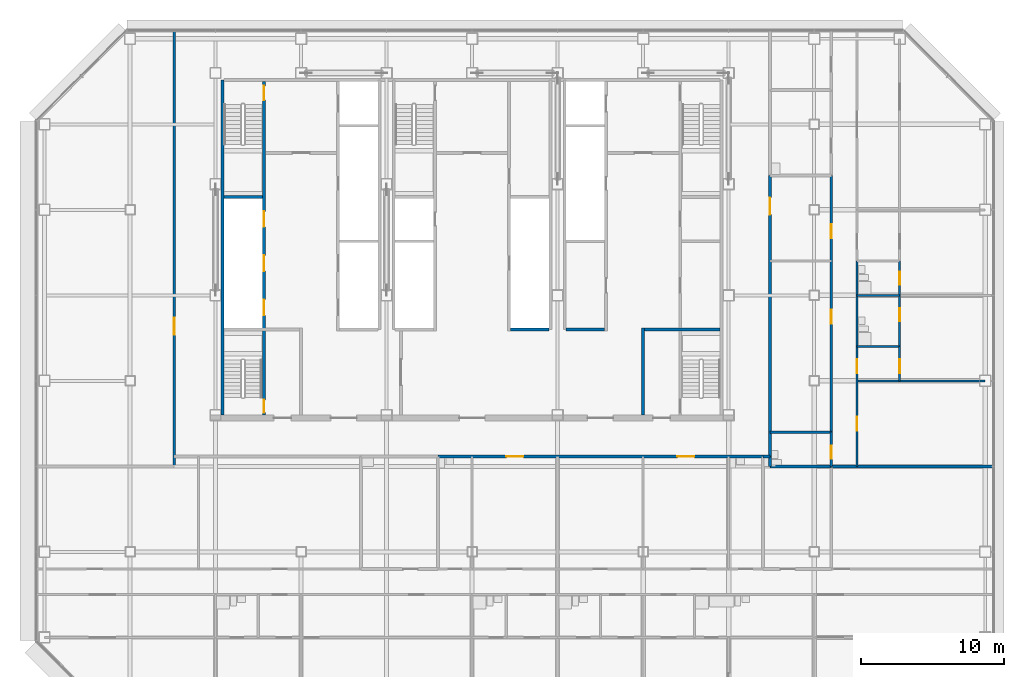
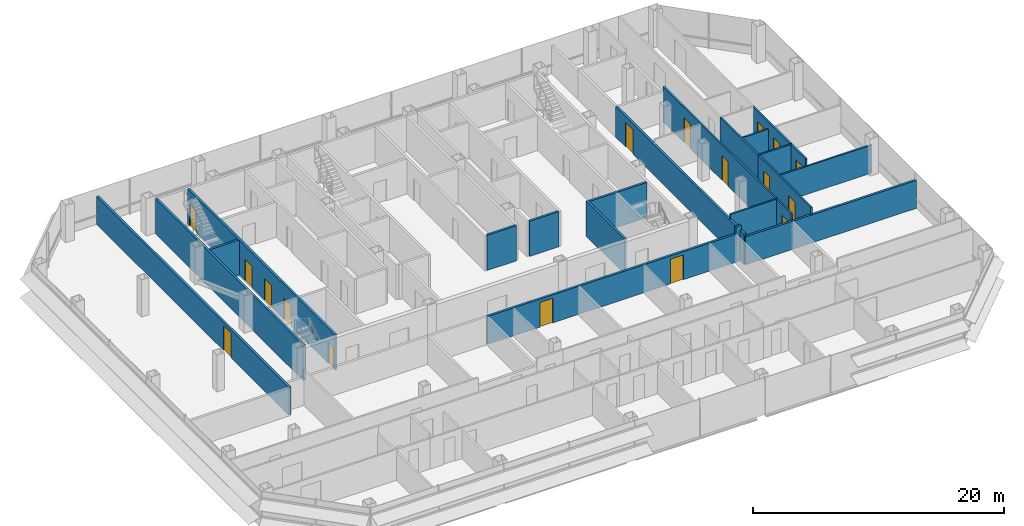
# One storey, part 21 of 25: 24 walls, 17 doors, 17 openings.
"""IFC4 building model written with IfcOpenShell, lengths in metres."""

from ifc_helpers import new_model, si_unit, direction, frame, frame_2d, origin, place, context, subcontext, project, spatial, rectangle, extrude, material, layer, layer_set, type_object, element, fill, save


model = new_model("IFC4")

# Units and contexts
model_context = context("Model", 3, precision=1e-05, world=origin(), true_north=direction((0.0, 1.0)))
body_context = subcontext(model_context, "Body", "Model", "MODEL_VIEW")
ifc_project = project(units=[si_unit("LENGTHUNIT", "METRE"), si_unit("AREAUNIT", "SQUARE_METRE"), si_unit("VOLUMEUNIT", "CUBIC_METRE"), si_unit("PLANEANGLEUNIT", "RADIAN"), si_unit("MASSUNIT", "GRAM", prefix="KILO")], contexts=[model_context])

# Site, building, storey
site_placement = place(None, origin())
site = spatial("IfcSite", under=ifc_project, at=site_placement, CompositionType="ELEMENT")
building_placement = place(site_placement, origin())
building = spatial("IfcBuilding", under=site, at=building_placement, Name="Sorahane Residences", CompositionType="ELEMENT")
storey_placement = place(building_placement, frame((0.0, 0.0, 107.0)))
storey = spatial("IfcBuildingStorey", under=building, at=storey_placement, Name="L23", CompositionType="ELEMENT", Elevation=107.0)

# Wall
ifc_material_1 = material(Name="Concrete C30", Category="concrete")
ifc_layer_1 = layer(ifc_material_1, 0.199951171875)
ifc_layer_set_1 = layer_set([ifc_layer_1], Name="Core face wall 200 EI 180")
wall_type_1 = type_object("IfcWallType", Name="Core face wall 200 EI 180", PredefinedType="SOLIDWALL", material=ifc_layer_set_1)
wall_1_placement = place(storey_placement, frame((6.5, 21.60009765625, 0.0), z_axis=(0.0, 0.0, 1.0), x_axis=(0.0, 1.0, 0.0)))
element("IfcWall", 1, at=wall_1_placement, inside=storey, type_object=wall_type_1, Name="L23 core face wall", PredefinedType="SOLIDWALL", context=body_context, shape_type="SweptSolid", body=[
    extrude(rectangle(XDim=23.5, YDim=0.199951171875, at=frame_2d((11.75, 0.0))), origin(), (0.0, 0.0, 1.0), 3.419921875),
])

# Wall, opening, door
ifc_material_2 = material(Name="Concrete blockwork C20 wall", Category="masonry")
ifc_layer_2 = layer(ifc_material_2, 0.199951171875)
ifc_layer_set_2 = layer_set([ifc_layer_2], Name="Corridor wall 200 EI 120")
wall_type_2 = type_object("IfcWallType", Name="Corridor wall 200 EI 120", PredefinedType="SOLIDWALL", material=ifc_layer_set_2)
wall_2_placement = place(storey_placement, frame((3.10009765625, 18.0, 0.0), z_axis=(0.0, 0.0, 1.0), x_axis=(0.0, 1.0, 0.0)))
wall_2 = element("IfcWall", 2, at=wall_2_placement, inside=storey, type_object=wall_type_2, Name="L23 corridor wall", PredefinedType="SOLIDWALL", context=body_context, shape_type="SweptSolid", body=[
    extrude(rectangle(XDim=30.60009765625, YDim=0.199951171875, at=frame_2d((15.300048828125, 0.0))), origin(), (0.0, 0.0, 1.0), 2.719970703125),
])
opening_1_placement = place(wall_2_placement, frame((9.22998046875, 0.0, 0.0)))
opening_1 = element("IfcOpeningElement", 3, at=opening_1_placement, cuts=wall_2, Name="Opening L23-47", PredefinedType="OPENING", context=body_context, shape_type="SweptSolid", body=[
    extrude(rectangle(XDim=1.199951171875, YDim=2.39990234375, at=frame_2d((0.60009765625, 1.199951171875))), frame((0.0, 0.10986328125, 0.0), z_axis=(0.0, -1.0, 0.0), x_axis=(1.0, 0.0, 0.0)), (0.0, 0.0, 1.0), 0.219970703125),
])
ifc_material_3 = material(Name="Steel", Category="steel")
door_type_1 = type_object("IfcDoorType", Name="Lobby door 1200x2400 FD60", OperationType="NOTDEFINED", PredefinedType="DOOR", material=ifc_material_3)
door_1_placement = place(opening_1_placement, origin())
door_1 = element("IfcDoor", 4, at=door_1_placement, inside=storey, type_object=door_type_1, Name="Lobby door L23-47", OperationType="SINGLE_SWING_LEFT", OverallHeight=2.39990234375, OverallWidth=1.199951171875, PredefinedType="DOOR", context=body_context, shape_type="SweptSolid", body=[
    extrude(rectangle(XDim=1.199951171875, YDim=2.39990234375, at=frame_2d((0.60009765625, 1.199951171875))), frame((0.0, 0.02490234375, 0.0), z_axis=(0.0, -1.0, 0.0), x_axis=(1.0, 0.0, 0.0)), (0.0, 0.0, 1.0), 0.050048828125),
])
fill(opening_1, door_1)

wall_3_placement = place(storey_placement, frame((44.89990234375, 18.699951171875, 0.0), z_axis=(0.0, 0.0, 1.0), x_axis=(0.0, 1.0, 0.0)))
wall_3 = element("IfcWall", 5, at=wall_3_placement, inside=storey, type_object=wall_type_2, Name="L23 corridor wall", PredefinedType="SOLIDWALL", context=body_context, shape_type="SweptSolid", body=[
    extrude(rectangle(XDim=19.699951171875, YDim=0.199951171875, at=frame_2d((9.85009765625, 0.0))), origin(), (0.0, 0.0, 1.0), 2.969970703125),
])
opening_2_placement = place(wall_3_placement, frame((16.9599609375, 0.0, 0.0)))
opening_2 = element("IfcOpeningElement", 6, at=opening_2_placement, cuts=wall_3, Name="Opening L23-46", PredefinedType="OPENING", context=body_context, shape_type="SweptSolid", body=[
    extrude(rectangle(XDim=1.199951171875, YDim=2.39990234375, at=frame_2d((0.60009765625, 1.199951171875))), frame((0.0, 0.10986328125, 0.0), z_axis=(0.0, -1.0, 0.0), x_axis=(1.0, 0.0, 0.0)), (0.0, 0.0, 1.0), 0.219970703125),
])
ifc_material_4 = material(Name="Timber veneered fire door", Category="wood")
door_type_2 = type_object("IfcDoorType", Name="Flat entrance door 1200x2400 FD60", OperationType="NOTDEFINED", PredefinedType="DOOR", material=ifc_material_4)
door_2_placement = place(opening_2_placement, frame((1.199951171875, 0.0, 0.0), z_axis=(0.0, 0.0, 1.0), x_axis=(-1.0, 0.0, 0.0)))
door_2 = element("IfcDoor", 7, at=door_2_placement, inside=storey, type_object=door_type_2, Name="Flat entrance door L23-46", OperationType="SINGLE_SWING_RIGHT", OverallHeight=2.39990234375, OverallWidth=1.199951171875, PredefinedType="DOOR", context=body_context, shape_type="SweptSolid", body=[
    extrude(rectangle(XDim=1.199951171875, YDim=2.39990234375, at=frame_2d((0.60009765625, 1.199951171875))), frame((0.0, 0.02490234375, 0.0), z_axis=(0.0, -1.0, 0.0), x_axis=(1.0, 0.0, 0.0)), (0.0, 0.0, 1.0), 0.050048828125),
])
fill(opening_2, door_2)

# Wall, openings, doors
wall_4_placement = place(storey_placement, frame((21.60009765625, 18.699951171875, 0.0), z_axis=(0.0, 0.0, 1.0), x_axis=(1.0, 0.0, 0.0)))
wall_4 = element("IfcWall", 8, at=wall_4_placement, inside=storey, type_object=wall_type_2, Name="L23 corridor wall", PredefinedType="SOLIDWALL", context=body_context, shape_type="SweptSolid", body=[
    extrude(rectangle(XDim=22.7998046875, YDim=0.199951171875, at=frame_2d((11.39990234375, 0.0))), origin(), (0.0, 0.0, 1.0), 2.719970703125),
])
opening_3_placement = place(wall_4_placement, frame((4.800048828125, 0.0, 0.0)))
opening_3 = element("IfcOpeningElement", 9, at=opening_3_placement, cuts=wall_4, Name="Opening L23-44", PredefinedType="OPENING", context=body_context, shape_type="SweptSolid", body=[
    extrude(rectangle(XDim=1.199951171875, YDim=2.39990234375, at=frame_2d((0.60009765625, 1.199951171875))), frame((0.0, 0.10986328125, 0.0), z_axis=(0.0, -1.0, 0.0), x_axis=(1.0, 0.0, 0.0)), (0.0, 0.0, 1.0), 0.219970703125),
])
opening_4_placement = place(wall_4_placement, frame((16.800048828125, 0.0, 0.0)))
opening_4 = element("IfcOpeningElement", 10, at=opening_4_placement, cuts=wall_4, Name="Opening L23-45", PredefinedType="OPENING", context=body_context, shape_type="SweptSolid", body=[
    extrude(rectangle(XDim=1.199951171875, YDim=2.39990234375, at=frame_2d((0.60009765625, 1.199951171875))), frame((0.0, 0.10986328125, 0.0), z_axis=(0.0, -1.0, 0.0), x_axis=(1.0, 0.0, 0.0)), (0.0, 0.0, 1.0), 0.219970703125),
])
door_3_placement = place(opening_3_placement, frame((1.199951171875, 0.0, 0.0), z_axis=(0.0, 0.0, 1.0), x_axis=(-1.0, 0.0, 0.0)))
door_3 = element("IfcDoor", 11, at=door_3_placement, inside=storey, type_object=door_type_2, Name="Flat entrance door L23-44", OperationType="SINGLE_SWING_LEFT", OverallHeight=2.39990234375, OverallWidth=1.199951171875, PredefinedType="DOOR", context=body_context, shape_type="SweptSolid", body=[
    extrude(rectangle(XDim=1.199951171875, YDim=2.39990234375, at=frame_2d((0.60009765625, 1.199951171875))), frame((0.0, 0.02490234375, 0.0), z_axis=(0.0, -1.0, 0.0), x_axis=(1.0, 0.0, 0.0)), (0.0, 0.0, 1.0), 0.050048828125),
])
fill(opening_3, door_3)
door_4_placement = place(opening_4_placement, frame((1.199951171875, 0.0, 0.0), z_axis=(0.0, 0.0, 1.0), x_axis=(-1.0, 0.0, 0.0)))
door_4 = element("IfcDoor", 12, at=door_4_placement, inside=storey, type_object=door_type_2, Name="Flat entrance door L23-45", OperationType="SINGLE_SWING_RIGHT", OverallHeight=2.39990234375, OverallWidth=1.199951171875, PredefinedType="DOOR", context=body_context, shape_type="SweptSolid", body=[
    extrude(rectangle(XDim=1.199951171875, YDim=2.39990234375, at=frame_2d((0.60009765625, 1.199951171875))), frame((0.0, 0.02490234375, 0.0), z_axis=(0.0, -1.0, 0.0), x_axis=(1.0, 0.0, 0.0)), (0.0, 0.0, 1.0), 0.050048828125),
])
fill(opening_4, door_4)

# Walls
ifc_material_5 = material(Name="Concrete C30", Category="concrete")
ifc_layer_3 = layer(ifc_material_5, 0.199951171875)
ifc_layer_set_3 = layer_set([ifc_layer_3], Name="Front room wall 200 EI 120")
wall_type_3 = type_object("IfcWallType", Name="Front room wall 200 EI 120", PredefinedType="PARTITIONING", material=ifc_layer_set_3)
wall_5_placement = place(storey_placement, frame((36.0, 21.60009765625, 0.0), z_axis=(0.0, 0.0, 1.0), x_axis=(0.0, 1.0, 0.0)))
element("IfcWall", 13, at=wall_5_placement, inside=storey, type_object=wall_type_3, Name="L23 front room wall", PredefinedType="PARTITIONING", context=body_context, shape_type="SweptSolid", body=[
    extrude(rectangle(XDim=6.099853515625, YDim=0.199951171875, at=frame_2d((3.0498046875, 0.0))), origin(), (0.0, 0.0, 1.0), 3.419921875),
])
ifc_material_6 = material(Name="Concrete blockwork C20 wall", Category="masonry")
ifc_layer_4 = layer(ifc_material_6, 0.199951171875)
ifc_layer_set_4 = layer_set([ifc_layer_4], Name="Kitchen wall 200 EI 180")
wall_type_4 = type_object("IfcWallType", Name="Kitchen wall 200 EI 180", PredefinedType="SOLIDWALL", material=ifc_layer_set_4)
wall_6_placement = place(storey_placement, frame((44.89990234375, 18.0, 0.0), z_axis=(0.0, 0.0, 1.0), x_axis=(0.0, 1.0, 0.0)))
element("IfcWall", 14, at=wall_6_placement, inside=storey, type_object=wall_type_4, Name="L23 kitchen wall", PredefinedType="SOLIDWALL", context=body_context, shape_type="SweptSolid", body=[
    extrude(rectangle(XDim=0.699951171875, YDim=0.199951171875, at=frame_2d((0.35009765625, 0.0))), origin(), (0.0, 0.0, 1.0), 2.969970703125),
])
wall_7_placement = place(storey_placement, frame((44.89990234375, 18.0, 0.0), z_axis=(0.0, 0.0, 1.0), x_axis=(1.0, 0.0, 0.0)))
element("IfcWall", 15, at=wall_7_placement, inside=storey, type_object=wall_type_4, Name="L23 kitchen wall", PredefinedType="SOLIDWALL", context=body_context, shape_type="SweptSolid", body=[
    extrude(rectangle(XDim=4.300048828125, YDim=0.199951171875, at=frame_2d((2.14990234375, 0.0))), origin(), (0.0, 0.0, 1.0), 2.719970703125),
])
wall_8_placement = place(storey_placement, frame((44.39990234375, 18.699951171875, 0.0), z_axis=(0.0, 0.0, 1.0), x_axis=(1.0, 0.0, 0.0)))
element("IfcWall", 16, at=wall_8_placement, inside=storey, type_object=wall_type_4, Name="L23 kitchen wall", PredefinedType="SOLIDWALL", context=body_context, shape_type="SweptSolid", body=[
    extrude(rectangle(XDim=0.5, YDim=0.199951171875, at=frame_2d((0.25, 0.0))), origin(), (0.0, 0.0, 1.0), 3.419921875),
])

# Wall, openings, doors
ifc_material_7 = material(Name="Gypsum board partition on steel studs", Category="steel")
ifc_layer_5 = layer(ifc_material_7, 0.14990234375)
ifc_layer_set_5 = layer_set([ifc_layer_5], Name="Partition 150 EI 90")
wall_type_5 = type_object("IfcWallType", Name="Partition 150 EI 90", PredefinedType="PARTITIONING", material=ifc_layer_set_5)
wall_9_placement = place(storey_placement, frame((49.199951171875, 20.39990234375, 0.0), z_axis=(0.0, 0.0, 1.0), x_axis=(0.0, 1.0, 0.0)))
wall_9 = element("IfcWall", 17, at=wall_9_placement, inside=storey, type_object=wall_type_5, Name="L23 partition", PredefinedType="PARTITIONING", context=body_context, shape_type="SweptSolid", body=[
    extrude(rectangle(XDim=18.0, YDim=0.14990234375, at=frame_2d((9.0, 0.0))), origin(), (0.0, 0.0, 1.0), 3.419921875),
])
opening_5_placement = place(wall_9_placement, frame((13.60009765625, 0.0, 0.0)))
opening_5 = element("IfcOpeningElement", 18, at=opening_5_placement, cuts=wall_9, Name="Opening L23-30", PredefinedType="OPENING", context=body_context, shape_type="SweptSolid", body=[
    extrude(rectangle(XDim=1.0, YDim=2.39990234375, at=frame_2d((0.5, 1.199951171875))), frame((0.0, 0.0849609375, 0.0), z_axis=(0.0, -1.0, 0.0), x_axis=(1.0, 0.0, 0.0)), (0.0, 0.0, 1.0), 0.169921875),
])
opening_6_placement = place(wall_9_placement, frame((7.60009765625, 0.0, 0.0)))
opening_6 = element("IfcOpeningElement", 19, at=opening_6_placement, cuts=wall_9, Name="Opening L23-32", PredefinedType="OPENING", context=body_context, shape_type="SweptSolid", body=[
    extrude(rectangle(XDim=1.0, YDim=2.39990234375, at=frame_2d((0.5, 1.199951171875))), frame((0.0, 0.0849609375, 0.0), z_axis=(0.0, -1.0, 0.0), x_axis=(1.0, 0.0, 0.0)), (0.0, 0.0, 1.0), 0.169921875),
])
ifc_material_8 = material(Name="Timber veneered fire door", Category="wood")
door_type_3 = type_object("IfcDoorType", Name="Room door 1000x2400 FD30", OperationType="NOTDEFINED", PredefinedType="DOOR", material=ifc_material_8)
door_5_placement = place(opening_5_placement, frame((1.0, 0.0, 0.0), z_axis=(0.0, 0.0, 1.0), x_axis=(-1.0, 0.0, 0.0)))
door_5 = element("IfcDoor", 20, at=door_5_placement, inside=storey, type_object=door_type_3, Name="Room door L23-30", OperationType="SINGLE_SWING_LEFT", OverallHeight=2.39990234375, OverallWidth=1.0, PredefinedType="DOOR", context=body_context, shape_type="SweptSolid", body=[
    extrude(rectangle(XDim=1.0, YDim=2.39990234375, at=frame_2d((0.5, 1.199951171875))), frame((0.0, 0.02490234375, 0.0), z_axis=(0.0, -1.0, 0.0), x_axis=(1.0, 0.0, 0.0)), (0.0, 0.0, 1.0), 0.050048828125),
])
fill(opening_5, door_5)
door_6_placement = place(opening_6_placement, origin())
door_6 = element("IfcDoor", 21, at=door_6_placement, inside=storey, type_object=door_type_3, Name="Room door L23-32", OperationType="SINGLE_SWING_LEFT", OverallHeight=2.39990234375, OverallWidth=1.0, PredefinedType="DOOR", context=body_context, shape_type="SweptSolid", body=[
    extrude(rectangle(XDim=1.0, YDim=2.39990234375, at=frame_2d((0.5, 1.199951171875))), frame((0.0, 0.02490234375, 0.0), z_axis=(0.0, -1.0, 0.0), x_axis=(1.0, 0.0, 0.0)), (0.0, 0.0, 1.0), 0.050048828125),
])
fill(opening_6, door_6)

wall_10_placement = place(storey_placement, frame((51.0, 18.0, 0.0), z_axis=(0.0, 0.0, 1.0), x_axis=(0.0, 1.0, 0.0)))
wall_10 = element("IfcWall", 22, at=wall_10_placement, inside=storey, type_object=wall_type_5, Name="L23 partition", PredefinedType="PARTITIONING", context=body_context, shape_type="SweptSolid", body=[
    extrude(rectangle(XDim=8.39990234375, YDim=0.14990234375, at=frame_2d((4.199951171875, 0.0))), origin(), (0.0, 0.0, 1.0), 3.419921875),
])
opening_7_placement = place(wall_10_placement, frame((2.5, 0.0, 0.0)))
opening_7 = element("IfcOpeningElement", 23, at=opening_7_placement, cuts=wall_10, Name="Opening L23-35", PredefinedType="OPENING", context=body_context, shape_type="SweptSolid", body=[
    extrude(rectangle(XDim=1.0, YDim=2.39990234375, at=frame_2d((0.5, 1.199951171875))), frame((0.0, 0.0849609375, 0.0), z_axis=(0.0, -1.0, 0.0), x_axis=(1.0, 0.0, 0.0)), (0.0, 0.0, 1.0), 0.169921875),
])
opening_8_placement = place(wall_10_placement, frame((6.52001953125, 0.0, 0.0)))
opening_8 = element("IfcOpeningElement", 24, at=opening_8_placement, cuts=wall_10, Name="Opening L23-36", PredefinedType="OPENING", context=body_context, shape_type="SweptSolid", body=[
    extrude(rectangle(XDim=1.0, YDim=2.39990234375, at=frame_2d((0.5, 1.199951171875))), frame((0.0, 0.0849609375, 0.0), z_axis=(0.0, -1.0, 0.0), x_axis=(1.0, 0.0, 0.0)), (0.0, 0.0, 1.0), 0.169921875),
])
door_7_placement = place(opening_7_placement, frame((1.0, 0.0, 0.0), z_axis=(0.0, 0.0, 1.0), x_axis=(-1.0, 0.0, 0.0)))
door_7 = element("IfcDoor", 25, at=door_7_placement, inside=storey, type_object=door_type_3, Name="Room door L23-35", OperationType="SINGLE_SWING_RIGHT", OverallHeight=2.39990234375, OverallWidth=1.0, PredefinedType="DOOR", context=body_context, shape_type="SweptSolid", body=[
    extrude(rectangle(XDim=1.0, YDim=2.39990234375, at=frame_2d((0.5, 1.199951171875))), frame((0.0, 0.02490234375, 0.0), z_axis=(0.0, -1.0, 0.0), x_axis=(1.0, 0.0, 0.0)), (0.0, 0.0, 1.0), 0.050048828125),
])
fill(opening_7, door_7)
door_8_placement = place(opening_8_placement, frame((1.0, 0.0, 0.0), z_axis=(0.0, 0.0, 1.0), x_axis=(-1.0, 0.0, 0.0)))
door_8 = element("IfcDoor", 26, at=door_8_placement, inside=storey, type_object=door_type_3, Name="Room door L23-36", OperationType="SINGLE_SWING_LEFT", OverallHeight=2.39990234375, OverallWidth=1.0, PredefinedType="DOOR", context=body_context, shape_type="SweptSolid", body=[
    extrude(rectangle(XDim=1.0, YDim=2.39990234375, at=frame_2d((0.5, 1.199951171875))), frame((0.0, 0.02490234375, 0.0), z_axis=(0.0, -1.0, 0.0), x_axis=(1.0, 0.0, 0.0)), (0.0, 0.0, 1.0), 0.050048828125),
])
fill(opening_8, door_8)

# Wall, opening, door
wall_11_placement = place(storey_placement, frame((54.0, 24.0, 0.0), z_axis=(0.0, 0.0, 1.0), x_axis=(0.0, 1.0, 0.0)))
wall_11 = element("IfcWall", 27, at=wall_11_placement, inside=storey, type_object=wall_type_5, Name="L23 partition", PredefinedType="PARTITIONING", context=body_context, shape_type="SweptSolid", body=[
    extrude(rectangle(XDim=2.39990234375, YDim=0.14990234375, at=frame_2d((1.199951171875, 0.0))), origin(), (0.0, 0.0, 1.0), 3.419921875),
])
opening_9_placement = place(wall_11_placement, frame((0.52001953125, 0.0, 0.0)))
opening_9 = element("IfcOpeningElement", 28, at=opening_9_placement, cuts=wall_11, Name="Opening L23-39", PredefinedType="OPENING", context=body_context, shape_type="SweptSolid", body=[
    extrude(rectangle(XDim=1.0, YDim=2.39990234375, at=frame_2d((0.5, 1.199951171875))), frame((0.0, 0.0849609375, 0.0), z_axis=(0.0, -1.0, 0.0), x_axis=(1.0, 0.0, 0.0)), (0.0, 0.0, 1.0), 0.169921875),
])
door_9_placement = place(opening_9_placement, frame((1.0, 0.0, 0.0), z_axis=(0.0, 0.0, 1.0), x_axis=(-1.0, 0.0, 0.0)))
door_9 = element("IfcDoor", 29, at=door_9_placement, inside=storey, type_object=door_type_3, Name="Room door L23-39", OperationType="SINGLE_SWING_RIGHT", OverallHeight=2.39990234375, OverallWidth=1.0, PredefinedType="DOOR", context=body_context, shape_type="SweptSolid", body=[
    extrude(rectangle(XDim=1.0, YDim=2.39990234375, at=frame_2d((0.5, 1.199951171875))), frame((0.0, 0.02490234375, 0.0), z_axis=(0.0, -1.0, 0.0), x_axis=(1.0, 0.0, 0.0)), (0.0, 0.0, 1.0), 0.050048828125),
])
fill(opening_9, door_9)

# Walls
wall_12_placement = place(storey_placement, frame((51.0, 24.0, 0.0), z_axis=(0.0, 0.0, 1.0), x_axis=(1.0, 0.0, 0.0)))
element("IfcWall", 30, at=wall_12_placement, inside=storey, type_object=wall_type_5, Name="L23 partition", PredefinedType="PARTITIONING", context=body_context, shape_type="SweptSolid", body=[
    extrude(rectangle(XDim=9.0, YDim=0.14990234375, at=frame_2d((4.5, 0.0))), origin(), (0.0, 0.0, 1.0), 2.719970703125),
])
ifc_material_9 = material(Name="Concrete blockwork C20 wall", Category="masonry")
ifc_layer_6 = layer(ifc_material_9, 0.199951171875)
ifc_layer_set_6 = layer_set([ifc_layer_6], Name="Party wall 200 EI 120")
wall_type_6 = type_object("IfcWallType", Name="Party wall 200 EI 120", PredefinedType="SOLIDWALL", material=ifc_layer_set_6)
wall_13_placement = place(storey_placement, frame((49.199951171875, 18.0, 0.0), z_axis=(0.0, 0.0, 1.0), x_axis=(1.0, 0.0, 0.0)))
element("IfcWall", 31, at=wall_13_placement, inside=storey, type_object=wall_type_6, Name="L23 party wall", PredefinedType="SOLIDWALL", context=body_context, shape_type="SweptSolid", body=[
    extrude(rectangle(XDim=11.400146484375, YDim=0.199951171875, at=frame_2d((5.7001953125, 0.0))), origin(), (0.0, 0.0, 1.0), 2.719970703125),
])
ifc_material_10 = material(Name="Concrete C30", Category="concrete")
ifc_layer_7 = layer(ifc_material_10, 0.199951171875)
ifc_layer_set_7 = layer_set([ifc_layer_7], Name="Riser shaft wall 200 EI 120")
wall_type_7 = type_object("IfcWallType", Name="Riser shaft wall 200 EI 120", PredefinedType="SOLIDWALL", material=ifc_layer_set_7)
wall_14_placement = place(storey_placement, frame((26.699951171875, 27.60009765625, 0.0), z_axis=(0.0, 0.0, 1.0), x_axis=(1.0, 0.0, 0.0)))
element("IfcWall", 32, at=wall_14_placement, inside=storey, type_object=wall_type_7, Name="L23 riser wall", PredefinedType="SOLIDWALL", context=body_context, shape_type="SweptSolid", body=[
    extrude(rectangle(XDim=2.699951171875, YDim=0.199951171875, at=frame_2d((1.35009765625, 0.0))), origin(), (0.0, 0.0, 1.0), 3.419921875),
])
ifc_material_11 = material(Name="Concrete C30", Category="concrete")
ifc_layer_8 = layer(ifc_material_11, 0.199951171875)
ifc_layer_set_8 = layer_set([ifc_layer_8], Name="Service room partition 200 EI 60")
wall_type_8 = type_object("IfcWallType", Name="Service room partition 200 EI 60", PredefinedType="PARTITIONING", material=ifc_layer_set_8)
wall_15_placement = place(storey_placement, frame((30.60009765625, 27.60009765625, 0.0), z_axis=(0.0, 0.0, 1.0), x_axis=(1.0, 0.0, 0.0)))
element("IfcWall", 33, at=wall_15_placement, inside=storey, type_object=wall_type_8, Name="L23 service room wall", PredefinedType="PARTITIONING", context=body_context, shape_type="SweptSolid", body=[
    extrude(rectangle(XDim=2.699951171875, YDim=0.199951171875, at=frame_2d((1.35009765625, 0.0))), origin(), (0.0, 0.0, 1.0), 3.419921875),
])

# Wall, openings, doors
ifc_material_12 = material(Name="Concrete C30", Category="concrete")
ifc_layer_9 = layer(ifc_material_12, 0.199951171875)
ifc_layer_set_9 = layer_set([ifc_layer_9], Name="Stair enclosure wall 200 EI 120")
wall_type_9 = type_object("IfcWallType", Name="Stair enclosure wall 200 EI 120", PredefinedType="SOLIDWALL", material=ifc_layer_set_9)
wall_16_placement = place(storey_placement, frame((9.39990234375, 21.60009765625, 0.0), z_axis=(0.0, 0.0, 1.0), x_axis=(0.0, 1.0, 0.0)))
wall_16 = element("IfcWall", 34, at=wall_16_placement, inside=storey, type_object=wall_type_9, Name="L23 stair enclosure wall", PredefinedType="SOLIDWALL", context=body_context, shape_type="SweptSolid", body=[
    extrude(rectangle(XDim=23.39990234375, YDim=0.199951171875, at=frame_2d((11.699951171875, 0.0))), origin(), (0.0, 0.0, 1.0), 3.419921875),
])
opening_10_placement = place(wall_16_placement, frame((7.0, 0.0, 0.0)))
opening_10 = element("IfcOpeningElement", 35, at=opening_10_placement, cuts=wall_16, Name="Opening L23-C14", PredefinedType="OPENING", context=body_context, shape_type="SweptSolid", body=[
    extrude(rectangle(XDim=1.10009765625, YDim=2.10009765625, at=frame_2d((0.550048828125, 1.050048828125))), frame((0.0, 0.10986328125, 0.0), z_axis=(0.0, -1.0, 0.0), x_axis=(1.0, 0.0, 0.0)), (0.0, 0.0, 1.0), 0.219970703125),
])
opening_11_placement = place(wall_16_placement, frame((10.10009765625, 0.0, 0.0)))
opening_11 = element("IfcOpeningElement", 36, at=opening_11_placement, cuts=wall_16, Name="Opening L23-C15", PredefinedType="OPENING", context=body_context, shape_type="SweptSolid", body=[
    extrude(rectangle(XDim=1.10009765625, YDim=2.10009765625, at=frame_2d((0.550048828125, 1.050048828125))), frame((0.0, 0.10986328125, 0.0), z_axis=(0.0, -1.0, 0.0), x_axis=(1.0, 0.0, 0.0)), (0.0, 0.0, 1.0), 0.219970703125),
])
opening_12_placement = place(wall_16_placement, frame((13.199951171875, 0.0, 0.0)))
opening_12 = element("IfcOpeningElement", 37, at=opening_12_placement, cuts=wall_16, Name="Opening L23-C16", PredefinedType="OPENING", context=body_context, shape_type="SweptSolid", body=[
    extrude(rectangle(XDim=1.10009765625, YDim=2.10009765625, at=frame_2d((0.550048828125, 1.050048828125))), frame((0.0, 0.10986328125, 0.0), z_axis=(0.0, -1.0, 0.0), x_axis=(1.0, 0.0, 0.0)), (0.0, 0.0, 1.0), 0.219970703125),
])
opening_13_placement = place(wall_16_placement, frame((22.10009765625, 0.0, 0.0)))
opening_13 = element("IfcOpeningElement", 38, at=opening_13_placement, cuts=wall_16, Name="Opening L23-C20", PredefinedType="OPENING", context=body_context, shape_type="SweptSolid", body=[
    extrude(rectangle(XDim=1.0, YDim=2.10009765625, at=frame_2d((0.5, 1.050048828125))), frame((0.0, 0.10986328125, 0.0), z_axis=(0.0, -1.0, 0.0), x_axis=(1.0, 0.0, 0.0)), (0.0, 0.0, 1.0), 0.219970703125),
])
opening_14_placement = place(wall_16_placement, frame((0.175048828125, 0.0, 0.0)))
opening_14 = element("IfcOpeningElement", 39, at=opening_14_placement, cuts=wall_16, Name="Opening L23-C23", PredefinedType="OPENING", context=body_context, shape_type="SweptSolid", body=[
    extrude(rectangle(XDim=0.89990234375, YDim=2.10009765625, at=frame_2d((0.449951171875, 1.050048828125))), frame((0.0, 0.10986328125, 0.0), z_axis=(0.0, -1.0, 0.0), x_axis=(1.0, 0.0, 0.0)), (0.0, 0.0, 1.0), 0.219970703125),
])
ifc_material_13 = material(Name="Aluminium and stainless steel", Category="steel")
door_type_4 = type_object("IfcDoorType", Name="Lift landing door 1100x2100 E 60", OperationType="NOTDEFINED", PredefinedType="DOOR", material=ifc_material_13)
door_10_placement = place(opening_10_placement, origin())
door_10 = element("IfcDoor", 40, at=door_10_placement, inside=storey, type_object=door_type_4, Name="Lift landing door LR1 L23", OperationType="DOUBLE_DOOR_SLIDING", OverallHeight=2.10009765625, OverallWidth=1.10009765625, PredefinedType="DOOR", context=body_context, shape_type="SweptSolid", body=[
    extrude(rectangle(XDim=1.10009765625, YDim=2.10009765625, at=frame_2d((0.550048828125, 1.050048828125))), frame((0.0, 0.02490234375, 0.0), z_axis=(0.0, -1.0, 0.0), x_axis=(1.0, 0.0, 0.0)), (0.0, 0.0, 1.0), 0.050048828125),
])
fill(opening_10, door_10)
door_11_placement = place(opening_11_placement, origin())
door_11 = element("IfcDoor", 41, at=door_11_placement, inside=storey, type_object=door_type_4, Name="Lift landing door LR2 L23", OperationType="DOUBLE_DOOR_SLIDING", OverallHeight=2.10009765625, OverallWidth=1.10009765625, PredefinedType="DOOR", context=body_context, shape_type="SweptSolid", body=[
    extrude(rectangle(XDim=1.10009765625, YDim=2.10009765625, at=frame_2d((0.550048828125, 1.050048828125))), frame((0.0, 0.02490234375, 0.0), z_axis=(0.0, -1.0, 0.0), x_axis=(1.0, 0.0, 0.0)), (0.0, 0.0, 1.0), 0.050048828125),
])
fill(opening_11, door_11)
door_12_placement = place(opening_12_placement, origin())
door_12 = element("IfcDoor", 42, at=door_12_placement, inside=storey, type_object=door_type_4, Name="Lift landing door LR3 L23", OperationType="DOUBLE_DOOR_SLIDING", OverallHeight=2.10009765625, OverallWidth=1.10009765625, PredefinedType="DOOR", context=body_context, shape_type="SweptSolid", body=[
    extrude(rectangle(XDim=1.10009765625, YDim=2.10009765625, at=frame_2d((0.550048828125, 1.050048828125))), frame((0.0, 0.02490234375, 0.0), z_axis=(0.0, -1.0, 0.0), x_axis=(1.0, 0.0, 0.0)), (0.0, 0.0, 1.0), 0.050048828125),
])
fill(opening_12, door_12)
ifc_material_14 = material(Name="Steel", Category="steel")
door_type_5 = type_object("IfcDoorType", Name="Stair door 1000x2100 FD120", OperationType="NOTDEFINED", PredefinedType="DOOR", material=ifc_material_14)
door_13_placement = place(opening_13_placement, origin())
door_13 = element("IfcDoor", 43, at=door_13_placement, inside=storey, type_object=door_type_5, Name="Stair door S1 L23", OperationType="SINGLE_SWING_LEFT", OverallHeight=2.10009765625, OverallWidth=1.0, PredefinedType="DOOR", context=body_context, shape_type="SweptSolid", body=[
    extrude(rectangle(XDim=1.0, YDim=2.10009765625, at=frame_2d((0.5, 1.050048828125))), frame((0.0, 0.02490234375, 0.0), z_axis=(0.0, -1.0, 0.0), x_axis=(1.0, 0.0, 0.0)), (0.0, 0.0, 1.0), 0.050048828125),
])
fill(opening_13, door_13)
ifc_material_15 = material(Name="Steel", Category="steel")
door_type_6 = type_object("IfcDoorType", Name="Stair door 900x2100 FD120", OperationType="NOTDEFINED", PredefinedType="DOOR", material=ifc_material_15)
door_14_placement = place(opening_14_placement, origin())
door_14 = element("IfcDoor", 44, at=door_14_placement, inside=storey, type_object=door_type_6, Name="Stair door S4 L23", OperationType="SINGLE_SWING_LEFT", OverallHeight=2.10009765625, OverallWidth=0.89990234375, PredefinedType="DOOR", context=body_context, shape_type="SweptSolid", body=[
    extrude(rectangle(XDim=0.89990234375, YDim=2.10009765625, at=frame_2d((0.449951171875, 1.050048828125))), frame((0.0, 0.02490234375, 0.0), z_axis=(0.0, -1.0, 0.0), x_axis=(1.0, 0.0, 0.0)), (0.0, 0.0, 1.0), 0.050048828125),
])
fill(opening_14, door_14)

# Walls
wall_17_placement = place(storey_placement, frame((36.10009765625, 27.60009765625, 0.0), z_axis=(0.0, 0.0, 1.0), x_axis=(1.0, 0.0, 0.0)))
element("IfcWall", 45, at=wall_17_placement, inside=storey, type_object=wall_type_9, Name="L23 stair enclosure wall", PredefinedType="SOLIDWALL", context=body_context, shape_type="SweptSolid", body=[
    extrude(rectangle(XDim=5.2998046875, YDim=0.199951171875, at=frame_2d((2.64990234375, 0.0))), origin(), (0.0, 0.0, 1.0), 3.419921875),
])
wall_18_placement = place(storey_placement, frame((6.60009765625, 36.89990234375, 0.0), z_axis=(0.0, 0.0, 1.0), x_axis=(1.0, 0.0, 0.0)))
element("IfcWall", 46, at=wall_18_placement, inside=storey, type_object=wall_type_9, Name="L23 stair enclosure wall", PredefinedType="SOLIDWALL", context=body_context, shape_type="SweptSolid", body=[
    extrude(rectangle(XDim=2.699951171875, YDim=0.199951171875, at=frame_2d((1.35009765625, 0.0))), origin(), (0.0, 0.0, 1.0), 3.419921875),
])

# Wall, opening, door
ifc_material_16 = material(Name="Gypsum board partition on steel studs", Category="steel")
ifc_layer_10 = layer(ifc_material_16, 0.14990234375)
ifc_layer_set_10 = layer_set([ifc_layer_10], Name="Wet wall 150 EI 90")
wall_type_10 = type_object("IfcWallType", Name="Wet wall 150 EI 90", PredefinedType="PARTITIONING", material=ifc_layer_set_10)
wall_19_placement = place(storey_placement, frame((49.199951171875, 18.0, 0.0), z_axis=(0.0, 0.0, 1.0), x_axis=(0.0, 1.0, 0.0)))
wall_19 = element("IfcWall", 47, at=wall_19_placement, inside=storey, type_object=wall_type_10, Name="L23 wet wall", PredefinedType="PARTITIONING", context=body_context, shape_type="SweptSolid", body=[
    extrude(rectangle(XDim=2.39990234375, YDim=0.14990234375, at=frame_2d((1.199951171875, 0.0))), origin(), (0.0, 0.0, 1.0), 3.419921875),
])
opening_15_placement = place(wall_19_placement, frame((0.550048828125, 0.0, 0.0)))
opening_15 = element("IfcOpeningElement", 48, at=opening_15_placement, cuts=wall_19, Name="Opening L23-31", PredefinedType="OPENING", context=body_context, shape_type="SweptSolid", body=[
    extrude(rectangle(XDim=0.89990234375, YDim=2.39990234375, at=frame_2d((0.449951171875, 1.199951171875))), frame((0.0, 0.0849609375, 0.0), z_axis=(0.0, -1.0, 0.0), x_axis=(1.0, 0.0, 0.0)), (0.0, 0.0, 1.0), 0.169921875),
])
ifc_material_17 = material(Name="Timber veneered fire door", Category="wood")
door_type_7 = type_object("IfcDoorType", Name="Bathroom door 900x2400 FD30", OperationType="NOTDEFINED", PredefinedType="DOOR", material=ifc_material_17)
door_15_placement = place(opening_15_placement, frame((0.89990234375, 0.0, 0.0), z_axis=(0.0, 0.0, 1.0), x_axis=(-1.0, 0.0, 0.0)))
door_15 = element("IfcDoor", 49, at=door_15_placement, inside=storey, type_object=door_type_7, Name="Bathroom door L23-31", OperationType="SINGLE_SWING_LEFT", OverallHeight=2.39990234375, OverallWidth=0.89990234375, PredefinedType="DOOR", context=body_context, shape_type="SweptSolid", body=[
    extrude(rectangle(XDim=0.89990234375, YDim=2.39990234375, at=frame_2d((0.449951171875, 1.199951171875))), frame((0.0, 0.02490234375, 0.0), z_axis=(0.0, -1.0, 0.0), x_axis=(1.0, 0.0, 0.0)), (0.0, 0.0, 1.0), 0.050048828125),
])
fill(opening_15, door_15)

# Wall
wall_20_placement = place(storey_placement, frame((51.0, 26.39990234375, 0.0), z_axis=(0.0, 0.0, 1.0), x_axis=(0.0, 1.0, 0.0)))
element("IfcWall", 50, at=wall_20_placement, inside=storey, type_object=wall_type_10, Name="L23 wet wall", PredefinedType="PARTITIONING", context=body_context, shape_type="SweptSolid", body=[
    extrude(rectangle(XDim=6.0, YDim=0.14990234375, at=frame_2d((3.0, 0.0))), origin(), (0.0, 0.0, 1.0), 3.419921875),
])

# Wall, openings, doors
wall_21_placement = place(storey_placement, frame((54.0, 26.39990234375, 0.0), z_axis=(0.0, 0.0, 1.0), x_axis=(0.0, 1.0, 0.0)))
wall_21 = element("IfcWall", 51, at=wall_21_placement, inside=storey, type_object=wall_type_10, Name="L23 wet wall", PredefinedType="PARTITIONING", context=body_context, shape_type="SweptSolid", body=[
    extrude(rectangle(XDim=6.0, YDim=0.14990234375, at=frame_2d((3.0, 0.0))), origin(), (0.0, 0.0, 1.0), 3.419921875),
])
opening_16_placement = place(wall_21_placement, frame((1.7900390625, 0.0, 0.0)))
opening_16 = element("IfcOpeningElement", 52, at=opening_16_placement, cuts=wall_21, Name="Opening L23-40", PredefinedType="OPENING", context=body_context, shape_type="SweptSolid", body=[
    extrude(rectangle(XDim=0.89990234375, YDim=2.39990234375, at=frame_2d((0.449951171875, 1.199951171875))), frame((0.0, 0.0849609375, 0.0), z_axis=(0.0, -1.0, 0.0), x_axis=(1.0, 0.0, 0.0)), (0.0, 0.0, 1.0), 0.169921875),
])
opening_17_placement = place(wall_21_placement, frame((4.35009765625, 0.0, 0.0)))
opening_17 = element("IfcOpeningElement", 53, at=opening_17_placement, cuts=wall_21, Name="Opening L23-42", PredefinedType="OPENING", context=body_context, shape_type="SweptSolid", body=[
    extrude(rectangle(XDim=0.89990234375, YDim=2.39990234375, at=frame_2d((0.449951171875, 1.199951171875))), frame((0.0, 0.0849609375, 0.0), z_axis=(0.0, -1.0, 0.0), x_axis=(1.0, 0.0, 0.0)), (0.0, 0.0, 1.0), 0.169921875),
])
door_16_placement = place(opening_16_placement, frame((0.89990234375, 0.0, 0.0), z_axis=(0.0, 0.0, 1.0), x_axis=(-1.0, 0.0, 0.0)))
door_16 = element("IfcDoor", 54, at=door_16_placement, inside=storey, type_object=door_type_7, Name="Bathroom door L23-40", OperationType="SINGLE_SWING_LEFT", OverallHeight=2.39990234375, OverallWidth=0.89990234375, PredefinedType="DOOR", context=body_context, shape_type="SweptSolid", body=[
    extrude(rectangle(XDim=0.89990234375, YDim=2.39990234375, at=frame_2d((0.449951171875, 1.199951171875))), frame((0.0, 0.02490234375, 0.0), z_axis=(0.0, -1.0, 0.0), x_axis=(1.0, 0.0, 0.0)), (0.0, 0.0, 1.0), 0.050048828125),
])
fill(opening_16, door_16)
door_17_placement = place(opening_17_placement, frame((0.89990234375, 0.0, 0.0), z_axis=(0.0, 0.0, 1.0), x_axis=(-1.0, 0.0, 0.0)))
door_17 = element("IfcDoor", 55, at=door_17_placement, inside=storey, type_object=door_type_7, Name="Bathroom door L23-42", OperationType="SINGLE_SWING_LEFT", OverallHeight=2.39990234375, OverallWidth=0.89990234375, PredefinedType="DOOR", context=body_context, shape_type="SweptSolid", body=[
    extrude(rectangle(XDim=0.89990234375, YDim=2.39990234375, at=frame_2d((0.449951171875, 1.199951171875))), frame((0.0, 0.02490234375, 0.0), z_axis=(0.0, -1.0, 0.0), x_axis=(1.0, 0.0, 0.0)), (0.0, 0.0, 1.0), 0.050048828125),
])
fill(opening_17, door_17)

# Walls
wall_22_placement = place(storey_placement, frame((44.89990234375, 20.39990234375, 0.0), z_axis=(0.0, 0.0, 1.0), x_axis=(1.0, 0.0, 0.0)))
element("IfcWall", 56, at=wall_22_placement, inside=storey, type_object=wall_type_10, Name="L23 wet wall", PredefinedType="PARTITIONING", context=body_context, shape_type="SweptSolid", body=[
    extrude(rectangle(XDim=4.300048828125, YDim=0.14990234375, at=frame_2d((2.14990234375, 0.0))), origin(), (0.0, 0.0, 1.0), 3.419921875),
])
wall_23_placement = place(storey_placement, frame((51.0, 26.39990234375, 0.0), z_axis=(0.0, 0.0, 1.0), x_axis=(1.0, 0.0, 0.0)))
element("IfcWall", 57, at=wall_23_placement, inside=storey, type_object=wall_type_10, Name="L23 wet wall", PredefinedType="PARTITIONING", context=body_context, shape_type="SweptSolid", body=[
    extrude(rectangle(XDim=3.0, YDim=0.14990234375, at=frame_2d((1.5, 0.0))), origin(), (0.0, 0.0, 1.0), 3.419921875),
])
wall_24_placement = place(storey_placement, frame((51.0, 30.0, 0.0), z_axis=(0.0, 0.0, 1.0), x_axis=(1.0, 0.0, 0.0)))
element("IfcWall", 58, at=wall_24_placement, inside=storey, type_object=wall_type_10, Name="L23 wet wall", PredefinedType="PARTITIONING", context=body_context, shape_type="SweptSolid", body=[
    extrude(rectangle(XDim=3.0, YDim=0.14990234375, at=frame_2d((1.5, 0.0))), origin(), (0.0, 0.0, 1.0), 2.719970703125),
])

save(model, "model.ifc")
